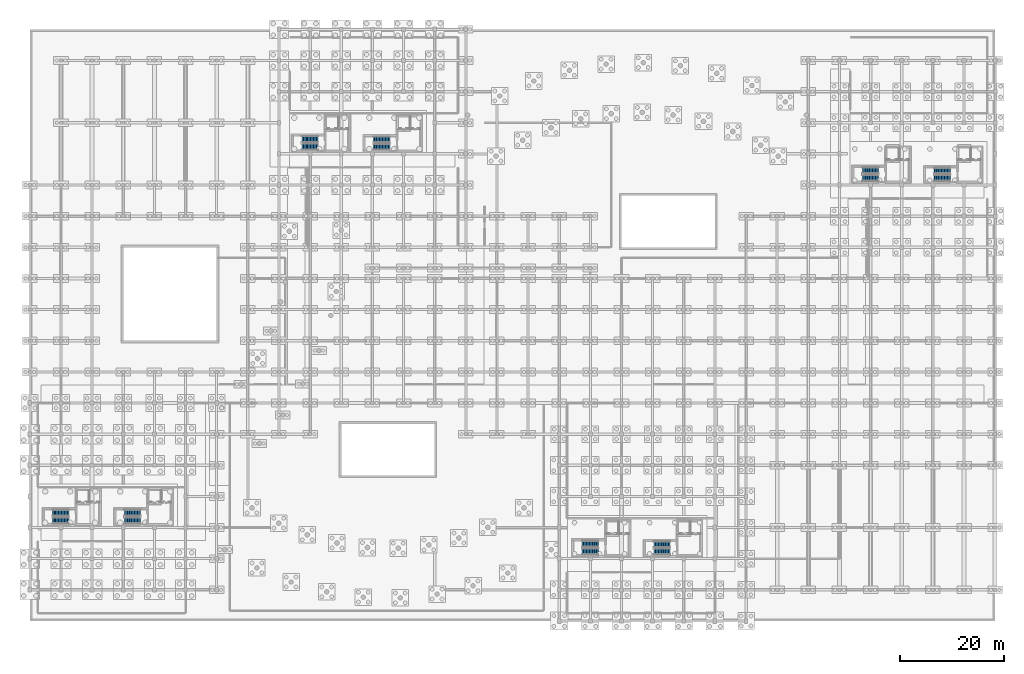
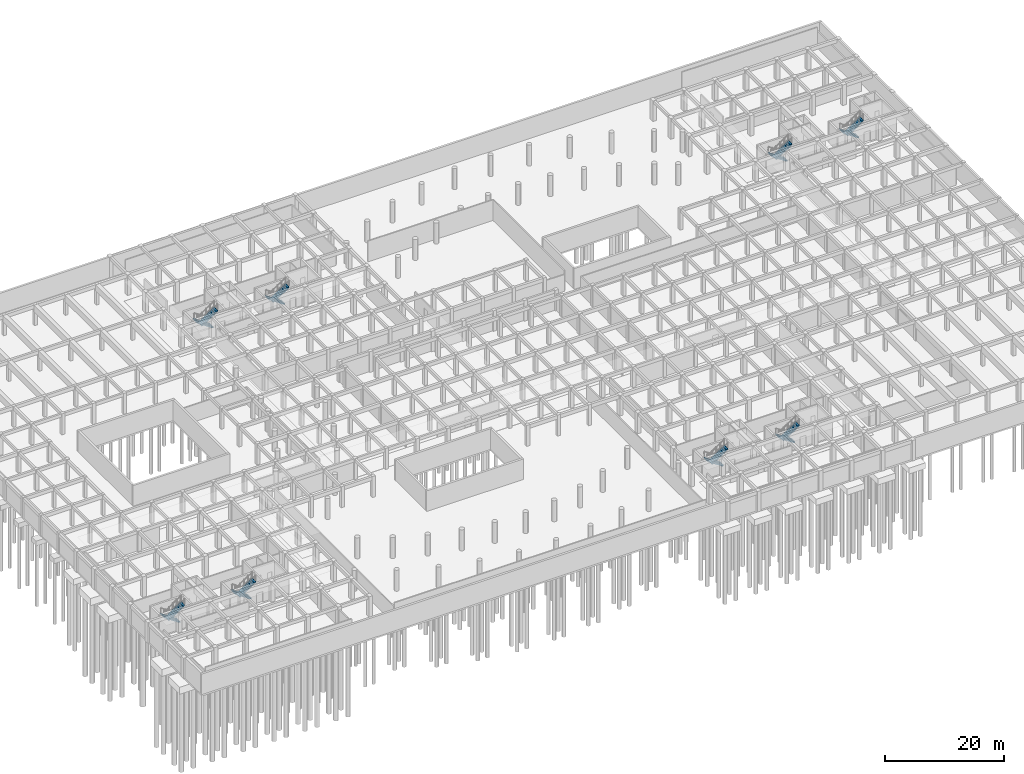
# One storey, part 35 of 41: 16 stair flights, 8 elements without a shape of their own.
"""IFC4 building model written with IfcOpenShell, lengths in metres."""

from ifc_helpers import new_model, si_unit, direction, frame, origin, place, context, subcontext, project, spatial, polyline, outline, extrude, material, type_object, element, aggregate, save


model = new_model("IFC4")

# Units and contexts
model_context = context("Model", 3, precision=1e-05, world=origin(), true_north=direction((0.0, 1.0)))
body_context = subcontext(model_context, "Body", "Model", "MODEL_VIEW")
ifc_project = project(units=[si_unit("LENGTHUNIT", "METRE"), si_unit("AREAUNIT", "SQUARE_METRE"), si_unit("VOLUMEUNIT", "CUBIC_METRE"), si_unit("PLANEANGLEUNIT", "RADIAN"), si_unit("MASSUNIT", "GRAM", prefix="KILO"), si_unit("POWERUNIT", "WATT"), si_unit("THERMODYNAMICTEMPERATUREUNIT", "KELVIN")], contexts=[model_context])

# Site, building, storey
site_placement = place(None, origin())
site = spatial("IfcSite", under=ifc_project, at=site_placement, CompositionType="ELEMENT")
building_placement = place(site_placement, origin())
building = spatial("IfcBuilding", under=site, at=building_placement, Name="Ruvembo Vaulted Housing Court", CompositionType="ELEMENT")
storey_placement = place(building_placement, frame((0.0, 0.0, -4.5)))
storey = spatial("IfcBuildingStorey", under=building, at=storey_placement, Name="B1", CompositionType="ELEMENT", Elevation=-4.5)

# Stair, stair flights
ifc_material = material(Name="Concrete C35/45", Category="concrete")
stair_type_1 = type_object("IfcStairType", Name="STR-CORE-1200", PredefinedType="HALF_TURN_STAIR", material=ifc_material)
stair_1_placement = place(storey_placement, origin())
stair_1 = element("IfcStair", 1, at=stair_1_placement, inside=storey, type_object=stair_type_1, Name="B1 Protected Exit Stair ST-B2", PredefinedType="HALF_TURN_STAIR")
stair_flight_type_1 = type_object("IfcStairFlightType", Name="SFL-1200", PredefinedType="STRAIGHT", material=ifc_material)
stair_flight_1_placement = place(storey_placement, frame((69.35009765625, 92.75, 0.0), z_axis=(0.0, 0.0, 1.0), x_axis=(-1.0, 0.0, 0.0)))
stair_flight_1 = element("IfcStairFlight", 2, at=stair_flight_1_placement, type_object=stair_flight_type_1, Name="ST-B2 flight 1", NumberOfRisers=12, NumberOfTreads=11, PredefinedType="STRAIGHT", RiserHeight=0.1875, TreadLength=0.28, context=body_context, shape_type="SweptSolid", body=[
    extrude(outline(polyline([(-0.02490234375, -0.0400390625), (-0.02490234375, 0.0), (0.0, 0.0), (0.0, 0.1875), (0.280029296875, 0.1875), (0.280029296875, 0.375), (0.56005859375, 0.375), (0.56005859375, 0.5625), (0.840087890625, 0.5625), (0.840087890625, 0.75), (1.1201171875, 0.75), (1.1201171875, 0.9375), (1.39990234375, 0.9375), (1.39990234375, 1.125), (1.679931640625, 1.125), (1.679931640625, 1.3125), (1.9599609375, 1.3125), (1.9599609375, 1.5), (2.239990234375, 1.5), (2.239990234375, 1.6875), (2.52001953125, 1.6875), (2.52001953125, 1.875), (2.800048828125, 1.875), (2.800048828125, 2.0625), (3.080078125, 2.0625), (3.080078125, 2.25), (3.10498046875, 2.25), (3.10498046875, 2.10009765625), (3.080078125, 1.882080078125), (0.26953125, 0.0), (0.0, -0.0400390625), (-0.02490234375, -0.0400390625)])), frame((0.0, 0.60009765625, 0.0), z_axis=(0.0, -1.0, 0.0), x_axis=(1.0, 0.0, 0.0)), (0.0, 0.0, 1.0), 1.199951171875),
])
stair_flight_2_placement = place(storey_placement, frame((66.27001953125, 91.35009765625, 2.25), z_axis=(0.0, 0.0, 1.0), x_axis=(1.0, 0.0, 0.0)))
stair_flight_2 = element("IfcStairFlight", 3, at=stair_flight_2_placement, type_object=stair_flight_type_1, Name="ST-B2 flight 2", NumberOfRisers=12, NumberOfTreads=11, PredefinedType="STRAIGHT", RiserHeight=0.1875, TreadLength=0.28, context=body_context, shape_type="SweptSolid", body=[
    extrude(outline(polyline([(-0.02490234375, -0.0400390625), (-0.02490234375, 0.0), (0.0, 0.0), (0.0, 0.1875), (0.280029296875, 0.1875), (0.280029296875, 0.375), (0.56005859375, 0.375), (0.56005859375, 0.5625), (0.840087890625, 0.5625), (0.840087890625, 0.75), (1.1201171875, 0.75), (1.1201171875, 0.9375), (1.39990234375, 0.9375), (1.39990234375, 1.125), (1.679931640625, 1.125), (1.679931640625, 1.3125), (1.9599609375, 1.3125), (1.9599609375, 1.5), (2.239990234375, 1.5), (2.239990234375, 1.6875), (2.52001953125, 1.6875), (2.52001953125, 1.875), (2.800048828125, 1.875), (2.800048828125, 2.0625), (3.080078125, 2.0625), (3.080078125, 2.25), (3.10498046875, 2.25), (3.10498046875, 2.10009765625), (3.080078125, 1.882080078125), (0.26953125, 0.0), (0.0, -0.0400390625), (-0.02490234375, -0.0400390625)])), frame((0.0, 0.60009765625, 0.0), z_axis=(0.0, -1.0, 0.0), x_axis=(1.0, 0.0, 0.0)), (0.0, 0.0, 1.0), 1.199951171875),
])
aggregate(stair_1, [stair_flight_1, stair_flight_2])

stair_2_placement = place(storey_placement, origin())
stair_2 = element("IfcStair", 4, at=stair_2_placement, inside=storey, type_object=stair_type_1, Name="B1 Protected Exit Stair ST-C2", PredefinedType="HALF_TURN_STAIR")
stair_flight_3_placement = place(storey_placement, frame((123.35009765625, 14.75, 0.0), z_axis=(0.0, 0.0, 1.0), x_axis=(-1.0, 0.0, 0.0)))
stair_flight_3 = element("IfcStairFlight", 5, at=stair_flight_3_placement, type_object=stair_flight_type_1, Name="ST-C2 flight 1", NumberOfRisers=12, NumberOfTreads=11, PredefinedType="STRAIGHT", RiserHeight=0.1875, TreadLength=0.28, context=body_context, shape_type="SweptSolid", body=[
    extrude(outline(polyline([(-0.02490234375, -0.0400390625), (-0.02490234375, 0.0), (0.0, 0.0), (0.0, 0.1875), (0.280029296875, 0.1875), (0.280029296875, 0.375), (0.56005859375, 0.375), (0.56005859375, 0.5625), (0.840087890625, 0.5625), (0.840087890625, 0.75), (1.1201171875, 0.75), (1.1201171875, 0.9375), (1.39990234375, 0.9375), (1.39990234375, 1.125), (1.679931640625, 1.125), (1.679931640625, 1.3125), (1.9599609375, 1.3125), (1.9599609375, 1.5), (2.239990234375, 1.5), (2.239990234375, 1.6875), (2.52001953125, 1.6875), (2.52001953125, 1.875), (2.800048828125, 1.875), (2.800048828125, 2.0625), (3.080078125, 2.0625), (3.080078125, 2.25), (3.10498046875, 2.25), (3.10498046875, 2.10009765625), (3.080078125, 1.882080078125), (0.26953125, 0.0), (0.0, -0.0400390625), (-0.02490234375, -0.0400390625)])), frame((0.0, 0.60009765625, 0.0), z_axis=(0.0, -1.0, 0.0), x_axis=(1.0, 0.0, 0.0)), (0.0, 0.0, 1.0), 1.199951171875),
])
stair_flight_4_placement = place(storey_placement, frame((120.27001953125, 13.35009765625, 2.25), z_axis=(0.0, 0.0, 1.0), x_axis=(1.0, 0.0, 0.0)))
stair_flight_4 = element("IfcStairFlight", 6, at=stair_flight_4_placement, type_object=stair_flight_type_1, Name="ST-C2 flight 2", NumberOfRisers=12, NumberOfTreads=11, PredefinedType="STRAIGHT", RiserHeight=0.1875, TreadLength=0.28, context=body_context, shape_type="SweptSolid", body=[
    extrude(outline(polyline([(-0.02490234375, -0.0400390625), (-0.02490234375, 0.0), (0.0, 0.0), (0.0, 0.1875), (0.280029296875, 0.1875), (0.280029296875, 0.375), (0.56005859375, 0.375), (0.56005859375, 0.5625), (0.840087890625, 0.5625), (0.840087890625, 0.75), (1.1201171875, 0.75), (1.1201171875, 0.9375), (1.39990234375, 0.9375), (1.39990234375, 1.125), (1.679931640625, 1.125), (1.679931640625, 1.3125), (1.9599609375, 1.3125), (1.9599609375, 1.5), (2.239990234375, 1.5), (2.239990234375, 1.6875), (2.52001953125, 1.6875), (2.52001953125, 1.875), (2.800048828125, 1.875), (2.800048828125, 2.0625), (3.080078125, 2.0625), (3.080078125, 2.25), (3.10498046875, 2.25), (3.10498046875, 2.10009765625), (3.080078125, 1.882080078125), (0.26953125, 0.0), (0.0, -0.0400390625), (-0.02490234375, -0.0400390625)])), frame((0.0, 0.60009765625, 0.0), z_axis=(0.0, -1.0, 0.0), x_axis=(1.0, 0.0, 0.0)), (0.0, 0.0, 1.0), 1.199951171875),
])
aggregate(stair_2, [stair_flight_3, stair_flight_4])

stair_3_placement = place(storey_placement, origin())
stair_3 = element("IfcStair", 7, at=stair_3_placement, inside=storey, type_object=stair_type_1, Name="B1 Protected Exit Stair ST-D2", PredefinedType="HALF_TURN_STAIR")
stair_flight_5_placement = place(storey_placement, frame((177.35009765625, 86.75, 0.0), z_axis=(0.0, 0.0, 1.0), x_axis=(-1.0, 0.0, 0.0)))
stair_flight_5 = element("IfcStairFlight", 8, at=stair_flight_5_placement, type_object=stair_flight_type_1, Name="ST-D2 flight 1", NumberOfRisers=12, NumberOfTreads=11, PredefinedType="STRAIGHT", RiserHeight=0.1875, TreadLength=0.28, context=body_context, shape_type="SweptSolid", body=[
    extrude(outline(polyline([(-0.02490234375, -0.0400390625), (-0.02490234375, 0.0), (0.0, 0.0), (0.0, 0.1875), (0.280029296875, 0.1875), (0.280029296875, 0.375), (0.56005859375, 0.375), (0.56005859375, 0.5625), (0.840087890625, 0.5625), (0.840087890625, 0.75), (1.1201171875, 0.75), (1.1201171875, 0.9375), (1.39990234375, 0.9375), (1.39990234375, 1.125), (1.679931640625, 1.125), (1.679931640625, 1.3125), (1.9599609375, 1.3125), (1.9599609375, 1.5), (2.239990234375, 1.5), (2.239990234375, 1.6875), (2.52001953125, 1.6875), (2.52001953125, 1.875), (2.800048828125, 1.875), (2.800048828125, 2.0625), (3.080078125, 2.0625), (3.080078125, 2.25), (3.10498046875, 2.25), (3.10498046875, 2.10009765625), (3.080078125, 1.882080078125), (0.26953125, 0.0), (0.0, -0.0400390625), (-0.02490234375, -0.0400390625)])), frame((0.0, 0.60009765625, 0.0), z_axis=(0.0, -1.0, 0.0), x_axis=(1.0, 0.0, 0.0)), (0.0, 0.0, 1.0), 1.199951171875),
])
stair_flight_6_placement = place(storey_placement, frame((174.27001953125, 85.35009765625, 2.25), z_axis=(0.0, 0.0, 1.0), x_axis=(1.0, 0.0, 0.0)))
stair_flight_6 = element("IfcStairFlight", 9, at=stair_flight_6_placement, type_object=stair_flight_type_1, Name="ST-D2 flight 2", NumberOfRisers=12, NumberOfTreads=11, PredefinedType="STRAIGHT", RiserHeight=0.1875, TreadLength=0.28, context=body_context, shape_type="SweptSolid", body=[
    extrude(outline(polyline([(-0.02490234375, -0.0400390625), (-0.02490234375, 0.0), (0.0, 0.0), (0.0, 0.1875), (0.280029296875, 0.1875), (0.280029296875, 0.375), (0.56005859375, 0.375), (0.56005859375, 0.5625), (0.840087890625, 0.5625), (0.840087890625, 0.75), (1.1201171875, 0.75), (1.1201171875, 0.9375), (1.39990234375, 0.9375), (1.39990234375, 1.125), (1.679931640625, 1.125), (1.679931640625, 1.3125), (1.9599609375, 1.3125), (1.9599609375, 1.5), (2.239990234375, 1.5), (2.239990234375, 1.6875), (2.52001953125, 1.6875), (2.52001953125, 1.875), (2.800048828125, 1.875), (2.800048828125, 2.0625), (3.080078125, 2.0625), (3.080078125, 2.25), (3.10498046875, 2.25), (3.10498046875, 2.10009765625), (3.080078125, 1.882080078125), (0.26953125, 0.0), (0.0, -0.0400390625), (-0.02490234375, -0.0400390625)])), frame((0.0, 0.60009765625, 0.0), z_axis=(0.0, -1.0, 0.0), x_axis=(1.0, 0.0, 0.0)), (0.0, 0.0, 1.0), 1.199951171875),
])
aggregate(stair_3, [stair_flight_5, stair_flight_6])

stair_type_2 = type_object("IfcStairType", Name="STR-CORE-1250", PredefinedType="HALF_TURN_STAIR", material=ifc_material)
stair_4_placement = place(storey_placement, origin())
stair_4 = element("IfcStair", 10, at=stair_4_placement, inside=storey, type_object=stair_type_2, Name="B1 Protected Exit Stair ST-A1", PredefinedType="HALF_TURN_STAIR")
stair_flight_type_2 = type_object("IfcStairFlightType", Name="SFL-1250", PredefinedType="STRAIGHT", material=ifc_material)
stair_flight_7_placement = place(storey_placement, frame((7.5, 20.824951171875, 0.0), z_axis=(0.0, 0.0, 1.0), x_axis=(-1.0, 0.0, 0.0)))
stair_flight_7 = element("IfcStairFlight", 11, at=stair_flight_7_placement, type_object=stair_flight_type_2, Name="ST-A1 flight 1", NumberOfRisers=12, NumberOfTreads=11, PredefinedType="STRAIGHT", RiserHeight=0.1875, TreadLength=0.28, context=body_context, shape_type="SweptSolid", body=[
    extrude(outline(polyline([(-0.02490234375, -0.0400390625), (-0.02490234375, 0.0), (0.0, 0.0), (0.0, 0.1875), (0.280029296875, 0.1875), (0.280029296875, 0.375), (0.56005859375, 0.375), (0.56005859375, 0.5625), (0.840087890625, 0.5625), (0.840087890625, 0.75), (1.1201171875, 0.75), (1.1201171875, 0.9375), (1.39990234375, 0.9375), (1.39990234375, 1.125), (1.679931640625, 1.125), (1.679931640625, 1.3125), (1.9599609375, 1.3125), (1.9599609375, 1.5), (2.239990234375, 1.5), (2.239990234375, 1.6875), (2.52001953125, 1.6875), (2.52001953125, 1.875), (2.800048828125, 1.875), (2.800048828125, 2.0625), (3.080078125, 2.0625), (3.080078125, 2.25), (3.10498046875, 2.25), (3.10498046875, 2.10009765625), (3.080078125, 1.882080078125), (0.26953125, 0.0), (0.0, -0.0400390625), (-0.02490234375, -0.0400390625)])), frame((0.0, 0.625, 0.0), z_axis=(0.0, -1.0, 0.0), x_axis=(1.0, 0.0, 0.0)), (0.0, 0.0, 1.0), 1.25),
])
stair_flight_8_placement = place(storey_placement, frame((4.419921875, 19.375, 2.25), z_axis=(0.0, 0.0, 1.0), x_axis=(1.0, 0.0, 0.0)))
stair_flight_8 = element("IfcStairFlight", 12, at=stair_flight_8_placement, type_object=stair_flight_type_2, Name="ST-A1 flight 2", NumberOfRisers=12, NumberOfTreads=11, PredefinedType="STRAIGHT", RiserHeight=0.1875, TreadLength=0.28, context=body_context, shape_type="SweptSolid", body=[
    extrude(outline(polyline([(-0.02490234375, -0.0400390625), (-0.02490234375, 0.0), (0.0, 0.0), (0.0, 0.1875), (0.280029296875, 0.1875), (0.280029296875, 0.375), (0.56005859375, 0.375), (0.56005859375, 0.5625), (0.840087890625, 0.5625), (0.840087890625, 0.75), (1.1201171875, 0.75), (1.1201171875, 0.9375), (1.39990234375, 0.9375), (1.39990234375, 1.125), (1.679931640625, 1.125), (1.679931640625, 1.3125), (1.9599609375, 1.3125), (1.9599609375, 1.5), (2.239990234375, 1.5), (2.239990234375, 1.6875), (2.52001953125, 1.6875), (2.52001953125, 1.875), (2.800048828125, 1.875), (2.800048828125, 2.0625), (3.080078125, 2.0625), (3.080078125, 2.25), (3.10498046875, 2.25), (3.10498046875, 2.10009765625), (3.080078125, 1.882080078125), (0.26953125, 0.0), (0.0, -0.0400390625), (-0.02490234375, -0.0400390625)])), frame((0.0, 0.625, 0.0), z_axis=(0.0, -1.0, 0.0), x_axis=(1.0, 0.0, 0.0)), (0.0, 0.0, 1.0), 1.25),
])
aggregate(stair_4, [stair_flight_7, stair_flight_8])

stair_5_placement = place(storey_placement, origin())
stair_5 = element("IfcStair", 13, at=stair_5_placement, inside=storey, type_object=stair_type_2, Name="B1 Protected Exit Stair ST-A2", PredefinedType="HALF_TURN_STAIR")
stair_flight_9_placement = place(storey_placement, frame((21.300048828125, 20.824951171875, 0.0), z_axis=(0.0, 0.0, 1.0), x_axis=(-1.0, 0.0, 0.0)))
stair_flight_9 = element("IfcStairFlight", 14, at=stair_flight_9_placement, type_object=stair_flight_type_2, Name="ST-A2 flight 1", NumberOfRisers=12, NumberOfTreads=11, PredefinedType="STRAIGHT", RiserHeight=0.1875, TreadLength=0.28, context=body_context, shape_type="SweptSolid", body=[
    extrude(outline(polyline([(-0.02490234375, -0.0400390625), (-0.02490234375, 0.0), (0.0, 0.0), (0.0, 0.1875), (0.280029296875, 0.1875), (0.280029296875, 0.375), (0.56005859375, 0.375), (0.56005859375, 0.5625), (0.840087890625, 0.5625), (0.840087890625, 0.75), (1.1201171875, 0.75), (1.1201171875, 0.9375), (1.39990234375, 0.9375), (1.39990234375, 1.125), (1.679931640625, 1.125), (1.679931640625, 1.3125), (1.9599609375, 1.3125), (1.9599609375, 1.5), (2.239990234375, 1.5), (2.239990234375, 1.6875), (2.52001953125, 1.6875), (2.52001953125, 1.875), (2.800048828125, 1.875), (2.800048828125, 2.0625), (3.080078125, 2.0625), (3.080078125, 2.25), (3.10498046875, 2.25), (3.10498046875, 2.10009765625), (3.080078125, 1.882080078125), (0.26953125, 0.0), (0.0, -0.0400390625), (-0.02490234375, -0.0400390625)])), frame((0.0, 0.625, 0.0), z_axis=(0.0, -1.0, 0.0), x_axis=(1.0, 0.0, 0.0)), (0.0, 0.0, 1.0), 1.25),
])
stair_flight_10_placement = place(storey_placement, frame((18.219970703125, 19.375, 2.25), z_axis=(0.0, 0.0, 1.0), x_axis=(1.0, 0.0, 0.0)))
stair_flight_10 = element("IfcStairFlight", 15, at=stair_flight_10_placement, type_object=stair_flight_type_2, Name="ST-A2 flight 2", NumberOfRisers=12, NumberOfTreads=11, PredefinedType="STRAIGHT", RiserHeight=0.1875, TreadLength=0.28, context=body_context, shape_type="SweptSolid", body=[
    extrude(outline(polyline([(-0.02490234375, -0.0400390625), (-0.02490234375, 0.0), (0.0, 0.0), (0.0, 0.1875), (0.280029296875, 0.1875), (0.280029296875, 0.375), (0.56005859375, 0.375), (0.56005859375, 0.5625), (0.840087890625, 0.5625), (0.840087890625, 0.75), (1.1201171875, 0.75), (1.1201171875, 0.9375), (1.39990234375, 0.9375), (1.39990234375, 1.125), (1.679931640625, 1.125), (1.679931640625, 1.3125), (1.9599609375, 1.3125), (1.9599609375, 1.5), (2.239990234375, 1.5), (2.239990234375, 1.6875), (2.52001953125, 1.6875), (2.52001953125, 1.875), (2.800048828125, 1.875), (2.800048828125, 2.0625), (3.080078125, 2.0625), (3.080078125, 2.25), (3.10498046875, 2.25), (3.10498046875, 2.10009765625), (3.080078125, 1.882080078125), (0.26953125, 0.0), (0.0, -0.0400390625), (-0.02490234375, -0.0400390625)])), frame((0.0, 0.625, 0.0), z_axis=(0.0, -1.0, 0.0), x_axis=(1.0, 0.0, 0.0)), (0.0, 0.0, 1.0), 1.25),
])
aggregate(stair_5, [stair_flight_9, stair_flight_10])

stair_6_placement = place(storey_placement, origin())
stair_6 = element("IfcStair", 16, at=stair_6_placement, inside=storey, type_object=stair_type_2, Name="B1 Protected Exit Stair ST-B1", PredefinedType="HALF_TURN_STAIR")
stair_flight_11_placement = place(storey_placement, frame((55.5, 92.824951171875, 0.0), z_axis=(0.0, 0.0, 1.0), x_axis=(-1.0, 0.0, 0.0)))
stair_flight_11 = element("IfcStairFlight", 17, at=stair_flight_11_placement, type_object=stair_flight_type_2, Name="ST-B1 flight 1", NumberOfRisers=12, NumberOfTreads=11, PredefinedType="STRAIGHT", RiserHeight=0.1875, TreadLength=0.28, context=body_context, shape_type="SweptSolid", body=[
    extrude(outline(polyline([(-0.02490234375, -0.0400390625), (-0.02490234375, 0.0), (0.0, 0.0), (0.0, 0.1875), (0.280029296875, 0.1875), (0.280029296875, 0.375), (0.56005859375, 0.375), (0.56005859375, 0.5625), (0.840087890625, 0.5625), (0.840087890625, 0.75), (1.1201171875, 0.75), (1.1201171875, 0.9375), (1.39990234375, 0.9375), (1.39990234375, 1.125), (1.679931640625, 1.125), (1.679931640625, 1.3125), (1.9599609375, 1.3125), (1.9599609375, 1.5), (2.239990234375, 1.5), (2.239990234375, 1.6875), (2.52001953125, 1.6875), (2.52001953125, 1.875), (2.800048828125, 1.875), (2.800048828125, 2.0625), (3.080078125, 2.0625), (3.080078125, 2.25), (3.10498046875, 2.25), (3.10498046875, 2.10009765625), (3.080078125, 1.882080078125), (0.26953125, 0.0), (0.0, -0.0400390625), (-0.02490234375, -0.0400390625)])), frame((0.0, 0.625, 0.0), z_axis=(0.0, -1.0, 0.0), x_axis=(1.0, 0.0, 0.0)), (0.0, 0.0, 1.0), 1.25),
])
stair_flight_12_placement = place(storey_placement, frame((52.419921875, 91.375, 2.25), z_axis=(0.0, 0.0, 1.0), x_axis=(1.0, 0.0, 0.0)))
stair_flight_12 = element("IfcStairFlight", 18, at=stair_flight_12_placement, type_object=stair_flight_type_2, Name="ST-B1 flight 2", NumberOfRisers=12, NumberOfTreads=11, PredefinedType="STRAIGHT", RiserHeight=0.1875, TreadLength=0.28, context=body_context, shape_type="SweptSolid", body=[
    extrude(outline(polyline([(-0.02490234375, -0.0400390625), (-0.02490234375, 0.0), (0.0, 0.0), (0.0, 0.1875), (0.280029296875, 0.1875), (0.280029296875, 0.375), (0.56005859375, 0.375), (0.56005859375, 0.5625), (0.840087890625, 0.5625), (0.840087890625, 0.75), (1.1201171875, 0.75), (1.1201171875, 0.9375), (1.39990234375, 0.9375), (1.39990234375, 1.125), (1.679931640625, 1.125), (1.679931640625, 1.3125), (1.9599609375, 1.3125), (1.9599609375, 1.5), (2.239990234375, 1.5), (2.239990234375, 1.6875), (2.52001953125, 1.6875), (2.52001953125, 1.875), (2.800048828125, 1.875), (2.800048828125, 2.0625), (3.080078125, 2.0625), (3.080078125, 2.25), (3.10498046875, 2.25), (3.10498046875, 2.10009765625), (3.080078125, 1.882080078125), (0.26953125, 0.0), (0.0, -0.0400390625), (-0.02490234375, -0.0400390625)])), frame((0.0, 0.625, 0.0), z_axis=(0.0, -1.0, 0.0), x_axis=(1.0, 0.0, 0.0)), (0.0, 0.0, 1.0), 1.25),
])
aggregate(stair_6, [stair_flight_11, stair_flight_12])

stair_7_placement = place(storey_placement, origin())
stair_7 = element("IfcStair", 19, at=stair_7_placement, inside=storey, type_object=stair_type_2, Name="B1 Protected Exit Stair ST-C1", PredefinedType="HALF_TURN_STAIR")
stair_flight_13_placement = place(storey_placement, frame((109.5, 14.824951171875, 0.0), z_axis=(0.0, 0.0, 1.0), x_axis=(-1.0, 0.0, 0.0)))
stair_flight_13 = element("IfcStairFlight", 20, at=stair_flight_13_placement, type_object=stair_flight_type_2, Name="ST-C1 flight 1", NumberOfRisers=12, NumberOfTreads=11, PredefinedType="STRAIGHT", RiserHeight=0.1875, TreadLength=0.28, context=body_context, shape_type="SweptSolid", body=[
    extrude(outline(polyline([(-0.02490234375, -0.0400390625), (-0.02490234375, 0.0), (0.0, 0.0), (0.0, 0.1875), (0.280029296875, 0.1875), (0.280029296875, 0.375), (0.56005859375, 0.375), (0.56005859375, 0.5625), (0.840087890625, 0.5625), (0.840087890625, 0.75), (1.1201171875, 0.75), (1.1201171875, 0.9375), (1.39990234375, 0.9375), (1.39990234375, 1.125), (1.679931640625, 1.125), (1.679931640625, 1.3125), (1.9599609375, 1.3125), (1.9599609375, 1.5), (2.239990234375, 1.5), (2.239990234375, 1.6875), (2.52001953125, 1.6875), (2.52001953125, 1.875), (2.800048828125, 1.875), (2.800048828125, 2.0625), (3.080078125, 2.0625), (3.080078125, 2.25), (3.10498046875, 2.25), (3.10498046875, 2.10009765625), (3.080078125, 1.882080078125), (0.26953125, 0.0), (0.0, -0.0400390625), (-0.02490234375, -0.0400390625)])), frame((0.0, 0.625, 0.0), z_axis=(0.0, -1.0, 0.0), x_axis=(1.0, 0.0, 0.0)), (0.0, 0.0, 1.0), 1.25),
])
stair_flight_14_placement = place(storey_placement, frame((106.419921875, 13.375, 2.25), z_axis=(0.0, 0.0, 1.0), x_axis=(1.0, 0.0, 0.0)))
stair_flight_14 = element("IfcStairFlight", 21, at=stair_flight_14_placement, type_object=stair_flight_type_2, Name="ST-C1 flight 2", NumberOfRisers=12, NumberOfTreads=11, PredefinedType="STRAIGHT", RiserHeight=0.1875, TreadLength=0.28, context=body_context, shape_type="SweptSolid", body=[
    extrude(outline(polyline([(-0.02490234375, -0.0400390625), (-0.02490234375, 0.0), (0.0, 0.0), (0.0, 0.1875), (0.280029296875, 0.1875), (0.280029296875, 0.375), (0.56005859375, 0.375), (0.56005859375, 0.5625), (0.840087890625, 0.5625), (0.840087890625, 0.75), (1.1201171875, 0.75), (1.1201171875, 0.9375), (1.39990234375, 0.9375), (1.39990234375, 1.125), (1.679931640625, 1.125), (1.679931640625, 1.3125), (1.9599609375, 1.3125), (1.9599609375, 1.5), (2.239990234375, 1.5), (2.239990234375, 1.6875), (2.52001953125, 1.6875), (2.52001953125, 1.875), (2.800048828125, 1.875), (2.800048828125, 2.0625), (3.080078125, 2.0625), (3.080078125, 2.25), (3.10498046875, 2.25), (3.10498046875, 2.10009765625), (3.080078125, 1.882080078125), (0.26953125, 0.0), (0.0, -0.0400390625), (-0.02490234375, -0.0400390625)])), frame((0.0, 0.625, 0.0), z_axis=(0.0, -1.0, 0.0), x_axis=(1.0, 0.0, 0.0)), (0.0, 0.0, 1.0), 1.25),
])
aggregate(stair_7, [stair_flight_13, stair_flight_14])

stair_8_placement = place(storey_placement, origin())
stair_8 = element("IfcStair", 22, at=stair_8_placement, inside=storey, type_object=stair_type_2, Name="B1 Protected Exit Stair ST-D1", PredefinedType="HALF_TURN_STAIR")
stair_flight_15_placement = place(storey_placement, frame((163.5, 86.824951171875, 0.0), z_axis=(0.0, 0.0, 1.0), x_axis=(-1.0, 0.0, 0.0)))
stair_flight_15 = element("IfcStairFlight", 23, at=stair_flight_15_placement, type_object=stair_flight_type_2, Name="ST-D1 flight 1", NumberOfRisers=12, NumberOfTreads=11, PredefinedType="STRAIGHT", RiserHeight=0.1875, TreadLength=0.28, context=body_context, shape_type="SweptSolid", body=[
    extrude(outline(polyline([(-0.02490234375, -0.0400390625), (-0.02490234375, 0.0), (0.0, 0.0), (0.0, 0.1875), (0.280029296875, 0.1875), (0.280029296875, 0.375), (0.56005859375, 0.375), (0.56005859375, 0.5625), (0.840087890625, 0.5625), (0.840087890625, 0.75), (1.1201171875, 0.75), (1.1201171875, 0.9375), (1.39990234375, 0.9375), (1.39990234375, 1.125), (1.679931640625, 1.125), (1.679931640625, 1.3125), (1.9599609375, 1.3125), (1.9599609375, 1.5), (2.239990234375, 1.5), (2.239990234375, 1.6875), (2.52001953125, 1.6875), (2.52001953125, 1.875), (2.800048828125, 1.875), (2.800048828125, 2.0625), (3.080078125, 2.0625), (3.080078125, 2.25), (3.10498046875, 2.25), (3.10498046875, 2.10009765625), (3.080078125, 1.882080078125), (0.26953125, 0.0), (0.0, -0.0400390625), (-0.02490234375, -0.0400390625)])), frame((0.0, 0.625, 0.0), z_axis=(0.0, -1.0, 0.0), x_axis=(1.0, 0.0, 0.0)), (0.0, 0.0, 1.0), 1.25),
])
stair_flight_16_placement = place(storey_placement, frame((160.419921875, 85.375, 2.25), z_axis=(0.0, 0.0, 1.0), x_axis=(1.0, 0.0, 0.0)))
stair_flight_16 = element("IfcStairFlight", 24, at=stair_flight_16_placement, type_object=stair_flight_type_2, Name="ST-D1 flight 2", NumberOfRisers=12, NumberOfTreads=11, PredefinedType="STRAIGHT", RiserHeight=0.1875, TreadLength=0.28, context=body_context, shape_type="SweptSolid", body=[
    extrude(outline(polyline([(-0.02490234375, -0.0400390625), (-0.02490234375, 0.0), (0.0, 0.0), (0.0, 0.1875), (0.280029296875, 0.1875), (0.280029296875, 0.375), (0.56005859375, 0.375), (0.56005859375, 0.5625), (0.840087890625, 0.5625), (0.840087890625, 0.75), (1.1201171875, 0.75), (1.1201171875, 0.9375), (1.39990234375, 0.9375), (1.39990234375, 1.125), (1.679931640625, 1.125), (1.679931640625, 1.3125), (1.9599609375, 1.3125), (1.9599609375, 1.5), (2.239990234375, 1.5), (2.239990234375, 1.6875), (2.52001953125, 1.6875), (2.52001953125, 1.875), (2.800048828125, 1.875), (2.800048828125, 2.0625), (3.080078125, 2.0625), (3.080078125, 2.25), (3.10498046875, 2.25), (3.10498046875, 2.10009765625), (3.080078125, 1.882080078125), (0.26953125, 0.0), (0.0, -0.0400390625), (-0.02490234375, -0.0400390625)])), frame((0.0, 0.625, 0.0), z_axis=(0.0, -1.0, 0.0), x_axis=(1.0, 0.0, 0.0)), (0.0, 0.0, 1.0), 1.25),
])
aggregate(stair_8, [stair_flight_15, stair_flight_16])

save(model, "model.ifc")
